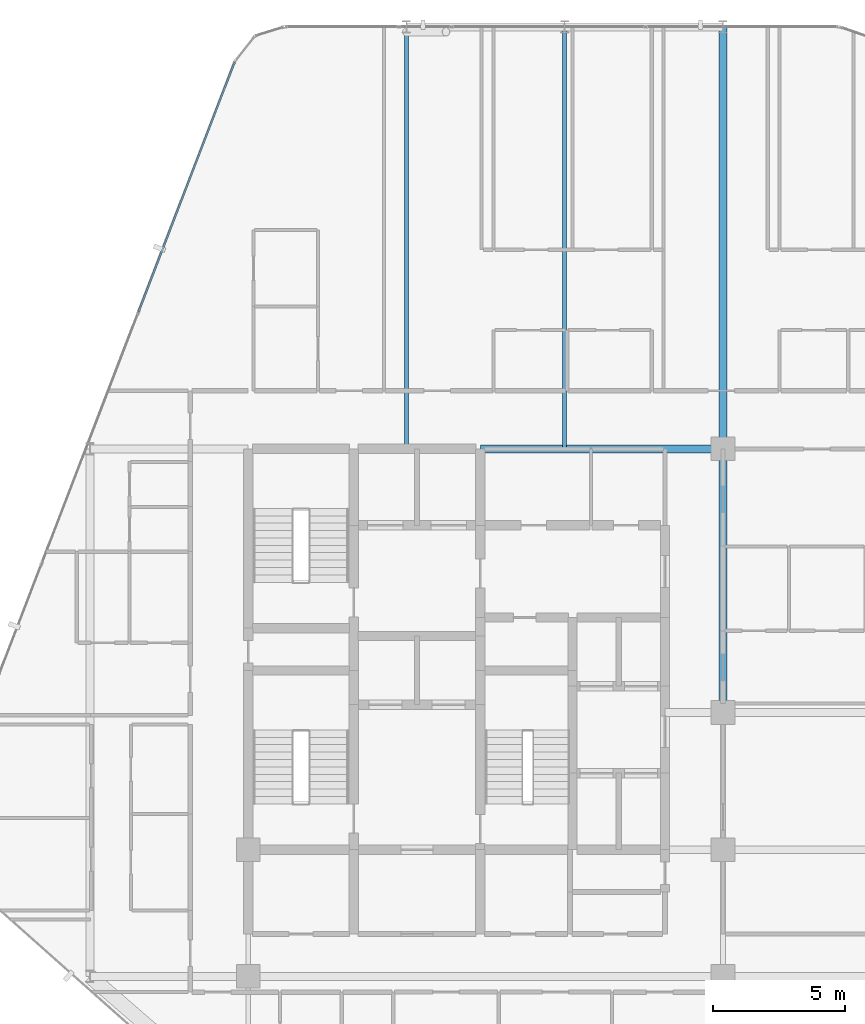
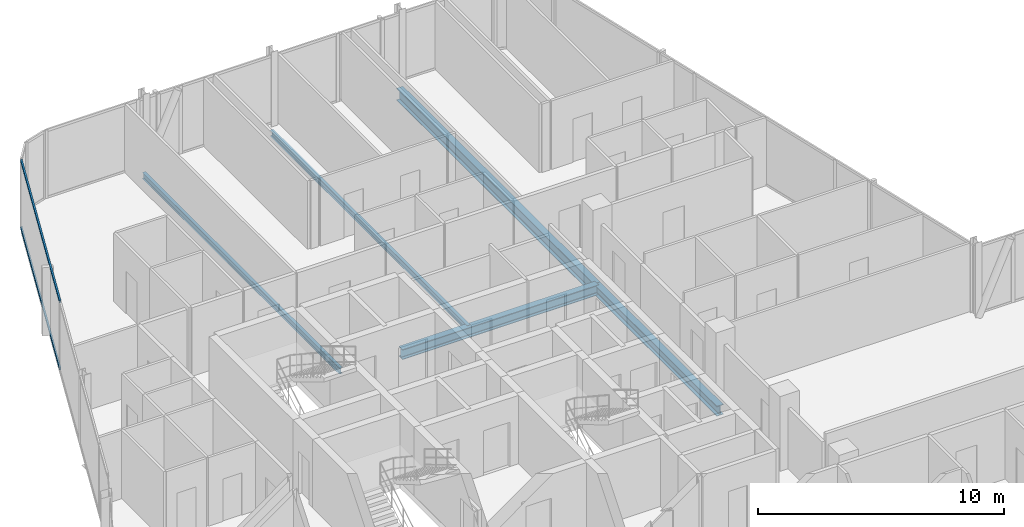
# One storey, part 17 of 29: 5 beams, 2 members, 1 element without a shape of its own.
"""IFC4 building model written with IfcOpenShell, lengths in metres."""

from ifc_helpers import new_model, si_unit, direction, frame, origin, origin_2d, place, context, subcontext, project, spatial, hollow_rectangle, i_section, extrude, material, layer, layer_set, material_profile, profile_set, type_object, element, aggregate, save


model = new_model("IFC4")

# Units and contexts
model_context = context("Model", 3, precision=1e-05, world=origin(), true_north=direction((0.0, 1.0)))
body_context = subcontext(model_context, "Body", "Model", "MODEL_VIEW")
ifc_project = project(units=[si_unit("LENGTHUNIT", "METRE"), si_unit("AREAUNIT", "SQUARE_METRE"), si_unit("VOLUMEUNIT", "CUBIC_METRE"), si_unit("PLANEANGLEUNIT", "RADIAN"), si_unit("MASSUNIT", "GRAM", prefix="KILO")], contexts=[model_context])

# Site, building, storey
site_placement = place(None, origin())
site = spatial("IfcSite", under=ifc_project, at=site_placement, CompositionType="ELEMENT")
building_placement = place(site_placement, origin())
building = spatial("IfcBuilding", under=site, at=building_placement, Name="Keshet Zoharim Tower", CompositionType="ELEMENT")
storey_placement = place(building_placement, frame((0.0, 0.0, 195.800048828125)))
storey = spatial("IfcBuildingStorey", under=building, at=storey_placement, Name="L48", CompositionType="ELEMENT", Elevation=195.800048828125)

# Beams
ifc_material_1 = material(Name="Steel S355", Category="steel")
ifc_material_profile_1 = material_profile(ifc_material_1, i_section(OverallWidth=0.14990234375, OverallDepth=0.300048828125, WebThickness=0.007080078125, FlangeThickness=0.0107421875, FilletRadius=0.014892578125, at=origin_2d()), Name="IPE300")
ifc_profile_set_1 = profile_set([ifc_material_profile_1], Name="Steel S355")
beam_type_1 = type_object("IfcBeamType", Name="BM-JST-IP300", PredefinedType="JOIST", material=ifc_profile_set_1)
for number, where, z_axis, x_axis, name in (
    (1, (21.0, 37.89990234375, -0.4599609375), (0.0, 1.0, 0.0), (-1.0, 0.0, 0.0), "L48 Secondary Floor Joist J-001"),
    (2, (27.0, 37.89990234375, -0.4599609375), (0.0, 1.0, 0.0), (-1.0, 0.0, 0.0), "L48 Secondary Floor Joist J-002"),
):
    element("IfcBeam", number, at=place(storey_placement, frame(where, z_axis=z_axis, x_axis=x_axis)), inside=storey, type_object=beam_type_1, Name=name, PredefinedType="JOIST", context=body_context, shape_type="SweptSolid", body=[
        extrude(i_section(OverallWidth=0.14990234375, OverallDepth=0.300048828125, WebThickness=0.007080078125, FlangeThickness=0.0107421875, FilletRadius=0.014892578125, at=origin_2d()), origin(), (0.0, 0.0, 1.0), 16.0),
    ])
ifc_material_profile_2 = material_profile(ifc_material_1, i_section(OverallWidth=0.300048828125, OverallDepth=0.60009765625, WebThickness=0.015380859375, FlangeThickness=0.030029296875, FilletRadius=0.027099609375, at=origin_2d()), Name="HEB600")
ifc_profile_set_2 = profile_set([ifc_material_profile_2], Name="Steel S355")
beam_type_2 = type_object("IfcBeamType", Name="BM-LNG-HB600", PredefinedType="BEAM", material=ifc_profile_set_2)
beam_1_placement = place(storey_placement, frame((33.0, 37.89990234375, -0.610107421875), z_axis=(0.0, 1.0, 0.0), x_axis=(-1.0, 0.0, 0.0)))
element("IfcBeam", 3, at=beam_1_placement, inside=storey, type_object=beam_type_2, Name="L48 Primary Girder Y-011", PredefinedType="BEAM", context=body_context, shape_type="SweptSolid", body=[
    extrude(i_section(OverallWidth=0.300048828125, OverallDepth=0.60009765625, WebThickness=0.015380859375, FlangeThickness=0.030029296875, FilletRadius=0.027099609375, at=origin_2d()), origin(), (0.0, 0.0, 1.0), 16.0),
])
ifc_material_profile_3 = material_profile(ifc_material_1, i_section(OverallWidth=0.300048828125, OverallDepth=0.5, WebThickness=0.014404296875, FlangeThickness=0.028076171875, FilletRadius=0.027099609375, at=origin_2d()), Name="HEB500")
ifc_profile_set_3 = profile_set([ifc_material_profile_3], Name="Steel S355")
beam_type_3 = type_object("IfcBeamType", Name="BM-MED-HB500", PredefinedType="BEAM", material=ifc_profile_set_3)
beam_2_placement = place(storey_placement, frame((23.800048828125, 37.89990234375, -0.56005859375), z_axis=(1.0, 0.0, 0.0), x_axis=(0.0, 1.0, 0.0)))
element("IfcBeam", 4, at=beam_2_placement, inside=storey, type_object=beam_type_3, Name="L48 Primary Girder X-018", PredefinedType="BEAM", context=body_context, shape_type="SweptSolid", body=[
    extrude(i_section(OverallWidth=0.300048828125, OverallDepth=0.5, WebThickness=0.014404296875, FlangeThickness=0.028076171875, FilletRadius=0.027099609375, at=origin_2d()), origin(), (0.0, 0.0, 1.0), 9.199951171875),
])
beam_3_placement = place(storey_placement, frame((33.0, 27.89990234375, -0.56005859375), z_axis=(0.0, 1.0, 0.0), x_axis=(-1.0, 0.0, 0.0)))
element("IfcBeam", 5, at=beam_3_placement, inside=storey, type_object=beam_type_3, Name="L48 Primary Girder Y-010", PredefinedType="BEAM", context=body_context, shape_type="SweptSolid", body=[
    extrude(i_section(OverallWidth=0.300048828125, OverallDepth=0.5, WebThickness=0.014404296875, FlangeThickness=0.028076171875, FilletRadius=0.027099609375, at=origin_2d()), origin(), (0.0, 0.0, 1.0), 10.0),
])

# Curtain wall, members
ifc_material_2 = material(Name="Aluminium 6063-T6", Category="aluminium")
ifc_layer = layer(ifc_material_2, 0.139892578125)
ifc_layer_set = layer_set([ifc_layer], Name="Aluminium 6063-T6")
curtain_wall_type = type_object("IfcCurtainWallType", Name="CW-SYS-05", PredefinedType="NOTDEFINED", material=ifc_layer_set)
curtain_wall_placement = place(storey_placement, origin())
curtain_wall = element("IfcCurtainWall", 6, at=curtain_wall_placement, inside=storey, type_object=curtain_wall_type, Name="L48 Unitised Curtain Wall 13", PredefinedType="NOTDEFINED")
ifc_material_profile_4 = material_profile(ifc_material_2, hollow_rectangle(XDim=0.074951171875, YDim=0.1201171875, WallThickness=0.00390625, at=origin_2d()), Name="TRN-75x120")
ifc_profile_set_4 = profile_set([ifc_material_profile_4], Name="Aluminium 6063-T6")
member_type = type_object("IfcMemberType", Name="CWT-T12", PredefinedType="USERDEFINED", material=ifc_profile_set_4)
member_1_placement = place(storey_placement, frame((10.849609375, 43.10888671875, 0.034912109375), z_axis=(0.358985546764, 0.933343118694, 0.0), x_axis=(-0.933343118694, 0.358985546764, 0.0)))
member_1 = element("IfcMember", 7, at=member_1_placement, type_object=member_type, Name="CW-05 transom 3.1", ObjectType="TRANSOM", PredefinedType="USERDEFINED", context=body_context, shape_type="SweptSolid", body=[
    extrude(hollow_rectangle(XDim=0.074951171875, YDim=0.1201171875, WallThickness=0.00390625, at=origin_2d()), origin(), (0.0, 0.0, 1.0), 10.118408203125),
])
member_2_placement = place(storey_placement, frame((10.849609375, 43.10888671875, 3.35498046875), z_axis=(0.358985546764, 0.933343118694, 0.0), x_axis=(-0.933343118694, 0.358985546764, 0.0)))
member_2 = element("IfcMember", 8, at=member_2_placement, type_object=member_type, Name="CW-05 transom 3.2", ObjectType="TRANSOM", PredefinedType="USERDEFINED", context=body_context, shape_type="SweptSolid", body=[
    extrude(hollow_rectangle(XDim=0.074951171875, YDim=0.1201171875, WallThickness=0.00390625, at=origin_2d()), origin(), (0.0, 0.0, 1.0), 10.118408203125),
])
aggregate(curtain_wall, [member_1, member_2])

save(model, "model.ifc")
